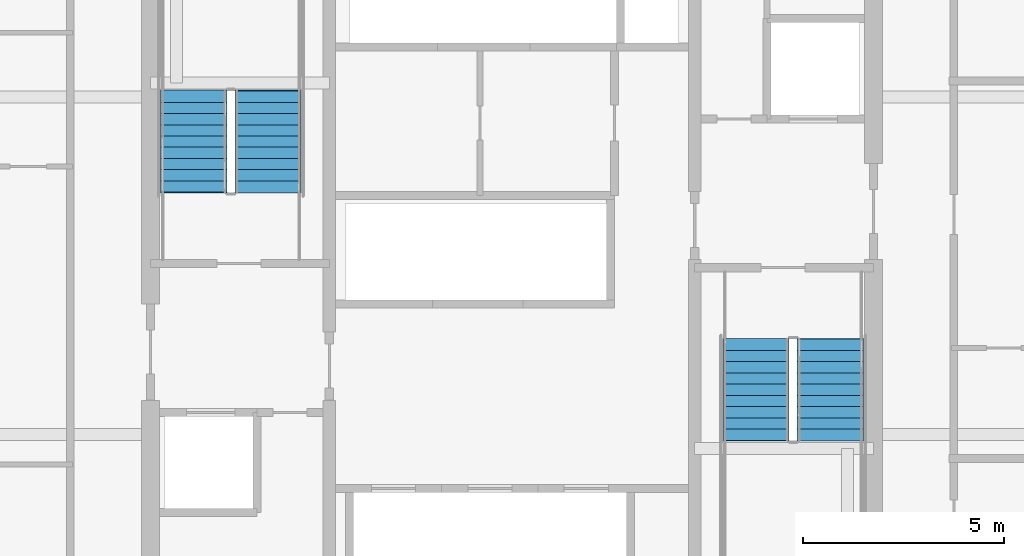
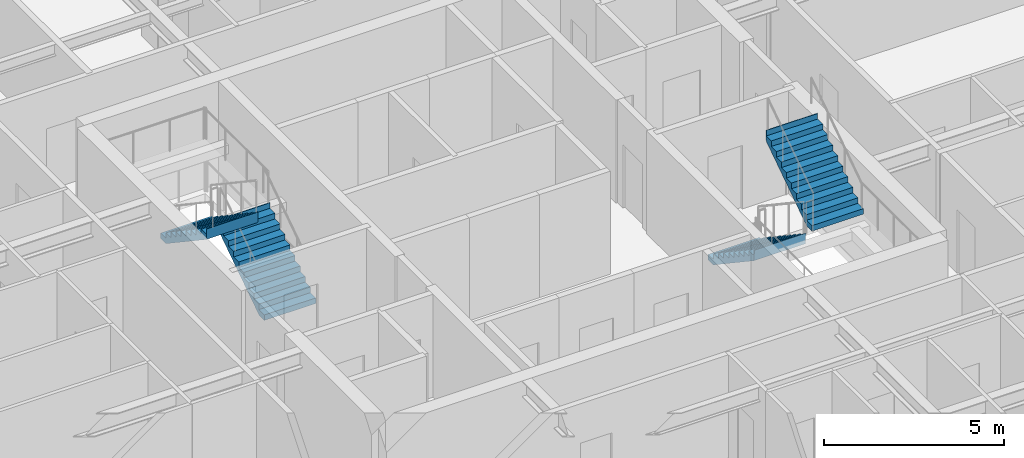
# One storey, part 33 of 40: 4 stair flights, 2 elements without a shape of their own.
"""IFC4 building model written with IfcOpenShell, lengths in metres."""

from ifc_helpers import new_model, si_unit, direction, frame, origin, place, context, subcontext, project, spatial, polygons, material, type_object, element, aggregate, save


model = new_model("IFC4")

# Units and contexts
model_context = context("Model", 3, precision=1e-05, world=origin(), true_north=direction((0.0, 1.0)))
body_context = subcontext(model_context, "Body", "Model", "MODEL_VIEW")
ifc_project = project(units=[si_unit("LENGTHUNIT", "METRE"), si_unit("AREAUNIT", "SQUARE_METRE"), si_unit("VOLUMEUNIT", "CUBIC_METRE"), si_unit("PLANEANGLEUNIT", "RADIAN"), si_unit("MASSUNIT", "GRAM", prefix="KILO")], contexts=[model_context])

# Site, building, storey
site_placement = place(None, origin())
site = spatial("IfcSite", under=ifc_project, at=site_placement, CompositionType="ELEMENT")
building_placement = place(site_placement, origin())
building = spatial("IfcBuilding", under=site, at=building_placement, Name="Serunith Strait Residences", CompositionType="ELEMENT")
storey_placement = place(building_placement, frame((0.0, 0.0, 90.449951171875)))
storey = spatial("IfcBuildingStorey", under=building, at=storey_placement, Name="L22", CompositionType="ELEMENT", Elevation=90.449951171875)

# Stair, stair flights
ifc_material = material(Name="Concrete C50/60", Category="concrete")
stair_type_1 = type_object("IfcStairType", Name="STR-CORE-1", PredefinedType="HALF_TURN_STAIR", material=ifc_material)
stair_1_placement = place(storey_placement, origin())
stair_1 = element("IfcStair", 1, at=stair_1_placement, inside=storey, type_object=stair_type_1, Name="L22 Protected Escape Stair ST-1", PredefinedType="HALF_TURN_STAIR")
stair_flight_type_1 = type_object("IfcStairFlightType", Name="FLT-CORE-1", PredefinedType="STRAIGHT", material=ifc_material)
stair_flight_1_placement = place(storey_placement, frame((26.324951171875, 27.030029296875, 0.0), z_axis=(0.0, 0.0, 1.0), x_axis=(0.0, 1.0, 0.0)))
stair_flight_1 = element("IfcStairFlight", 2, at=stair_flight_1_placement, type_object=stair_flight_type_1, Name="ST-1 flight 1", NumberOfRisers=10, NumberOfTreads=9, PredefinedType="STRAIGHT", RiserHeight=0.1875, TreadLength=0.28, context=body_context, shape_type="Tessellation", body=[
    polygons([(-0.02001953125, -0.824951171875, 0.0), (-0.02001953125, -0.824951171875, 0.1875), (0.280029296875, -0.824951171875, 0.1875), (0.280029296875, -0.824951171875, 0.375), (0.56005859375, -0.824951171875, 0.375), (0.56005859375, -0.824951171875, 0.5625), (0.840087890625, -0.824951171875, 0.5625), (0.840087890625, -0.824951171875, 0.75), (1.1201171875, -0.824951171875, 0.75), (1.1201171875, -0.824951171875, 0.9375), (1.39990234375, -0.824951171875, 0.9375), (1.39990234375, -0.824951171875, 1.125), (1.679931640625, -0.824951171875, 1.125), (1.679931640625, -0.824951171875, 1.3125), (1.9599609375, -0.824951171875, 1.3125), (1.9599609375, -0.824951171875, 1.5), (2.239990234375, -0.824951171875, 1.5), (2.239990234375, -0.824951171875, 1.6875), (2.52001953125, -0.824951171875, 1.6875), (2.52001953125, -0.824951171875, 1.875), (2.5400390625, -0.824951171875, 1.875), (2.5400390625, -0.824951171875, 1.81494140625), (2.52001953125, -0.824951171875, 1.507080078125), (0.26953125, -0.824951171875, 0.0), (-0.02001953125, -0.41259765625, 0.0), (-0.02001953125, -0.41259765625, 0.1875), (0.280029296875, -0.41259765625, 0.1875), (0.280029296875, -0.41259765625, 0.375), (0.56005859375, -0.41259765625, 0.375), (0.56005859375, -0.41259765625, 0.5625), (0.840087890625, -0.41259765625, 0.5625), (0.840087890625, -0.41259765625, 0.75), (1.1201171875, -0.41259765625, 0.75), (1.1201171875, -0.41259765625, 0.9375), (1.39990234375, -0.41259765625, 0.9375), (1.39990234375, -0.41259765625, 1.125), (1.679931640625, -0.41259765625, 1.125), (1.679931640625, -0.41259765625, 1.3125), (1.9599609375, -0.41259765625, 1.3125), (1.9599609375, -0.41259765625, 1.5), (2.239990234375, -0.41259765625, 1.5), (2.239990234375, -0.41259765625, 1.6875), (2.52001953125, -0.41259765625, 1.6875), (2.52001953125, -0.41259765625, 1.875), (2.5400390625, -0.41259765625, 1.875), (2.5400390625, -0.41259765625, 1.81494140625), (2.52001953125, -0.41259765625, 1.507080078125), (0.26953125, -0.41259765625, 0.0), (-0.02001953125, 0.0, 0.0), (-0.02001953125, 0.0, 0.1875), (0.280029296875, 0.0, 0.1875), (0.280029296875, 0.0, 0.375), (0.56005859375, 0.0, 0.375), (0.56005859375, 0.0, 0.5625), (0.840087890625, 0.0, 0.5625), (0.840087890625, 0.0, 0.75), (1.1201171875, 0.0, 0.75), (1.1201171875, 0.0, 0.9375), (1.39990234375, 0.0, 0.9375), (1.39990234375, 0.0, 1.125), (1.679931640625, 0.0, 1.125), (1.679931640625, 0.0, 1.3125), (1.9599609375, 0.0, 1.3125), (1.9599609375, 0.0, 1.5), (2.239990234375, 0.0, 1.5), (2.239990234375, 0.0, 1.6875), (2.52001953125, 0.0, 1.6875), (2.52001953125, 0.0, 1.875), (2.5400390625, 0.0, 1.875), (2.5400390625, 0.0, 1.81494140625), (2.52001953125, 0.0, 1.507080078125), (0.26953125, 0.0, 0.0), (-0.02001953125, 0.41259765625, 0.0), (-0.02001953125, 0.41259765625, 0.1875), (0.280029296875, 0.41259765625, 0.1875), (0.280029296875, 0.41259765625, 0.375), (0.56005859375, 0.41259765625, 0.375), (0.56005859375, 0.41259765625, 0.5625), (0.840087890625, 0.41259765625, 0.5625), (0.840087890625, 0.41259765625, 0.75), (1.1201171875, 0.41259765625, 0.75), (1.1201171875, 0.41259765625, 0.9375), (1.39990234375, 0.41259765625, 0.9375), (1.39990234375, 0.41259765625, 1.125), (1.679931640625, 0.41259765625, 1.125), (1.679931640625, 0.41259765625, 1.3125), (1.9599609375, 0.41259765625, 1.3125), (1.9599609375, 0.41259765625, 1.5), (2.239990234375, 0.41259765625, 1.5), (2.239990234375, 0.41259765625, 1.6875), (2.52001953125, 0.41259765625, 1.6875), (2.52001953125, 0.41259765625, 1.875), (2.5400390625, 0.41259765625, 1.875), (2.5400390625, 0.41259765625, 1.81494140625), (2.52001953125, 0.41259765625, 1.507080078125), (0.26953125, 0.41259765625, 0.0), (-0.02001953125, 0.824951171875, 0.0), (-0.02001953125, 0.824951171875, 0.1875), (0.280029296875, 0.824951171875, 0.1875), (0.280029296875, 0.824951171875, 0.375), (0.56005859375, 0.824951171875, 0.375), (0.56005859375, 0.824951171875, 0.5625), (0.840087890625, 0.824951171875, 0.5625), (0.840087890625, 0.824951171875, 0.75), (1.1201171875, 0.824951171875, 0.75), (1.1201171875, 0.824951171875, 0.9375), (1.39990234375, 0.824951171875, 0.9375), (1.39990234375, 0.824951171875, 1.125), (1.679931640625, 0.824951171875, 1.125), (1.679931640625, 0.824951171875, 1.3125), (1.9599609375, 0.824951171875, 1.3125), (1.9599609375, 0.824951171875, 1.5), (2.239990234375, 0.824951171875, 1.5), (2.239990234375, 0.824951171875, 1.6875), (2.52001953125, 0.824951171875, 1.6875), (2.52001953125, 0.824951171875, 1.875), (2.5400390625, 0.824951171875, 1.875), (2.5400390625, 0.824951171875, 1.81494140625), (2.52001953125, 0.824951171875, 1.507080078125), (0.26953125, 0.824951171875, 0.0)], [[[1, 2, 26, 25]], [[2, 3, 27, 26]], [[3, 4, 28, 27]], [[4, 5, 29, 28]], [[5, 6, 30, 29]], [[6, 7, 31, 30]], [[7, 8, 32, 31]], [[8, 9, 33, 32]], [[9, 10, 34, 33]], [[10, 11, 35, 34]], [[11, 12, 36, 35]], [[12, 13, 37, 36]], [[13, 14, 38, 37]], [[14, 15, 39, 38]], [[15, 16, 40, 39]], [[16, 17, 41, 40]], [[17, 18, 42, 41]], [[18, 19, 43, 42]], [[19, 20, 44, 43]], [[20, 21, 45, 44]], [[21, 22, 46, 45]], [[22, 23, 47, 46]], [[23, 24, 48, 47]], [[24, 1, 25, 48]], [[25, 26, 50, 49]], [[26, 27, 51, 50]], [[27, 28, 52, 51]], [[28, 29, 53, 52]], [[29, 30, 54, 53]], [[30, 31, 55, 54]], [[31, 32, 56, 55]], [[32, 33, 57, 56]], [[33, 34, 58, 57]], [[34, 35, 59, 58]], [[35, 36, 60, 59]], [[36, 37, 61, 60]], [[37, 38, 62, 61]], [[38, 39, 63, 62]], [[39, 40, 64, 63]], [[40, 41, 65, 64]], [[41, 42, 66, 65]], [[42, 43, 67, 66]], [[43, 44, 68, 67]], [[44, 45, 69, 68]], [[45, 46, 70, 69]], [[46, 47, 71, 70]], [[47, 48, 72, 71]], [[48, 25, 49, 72]], [[49, 50, 74, 73]], [[50, 51, 75, 74]], [[51, 52, 76, 75]], [[52, 53, 77, 76]], [[53, 54, 78, 77]], [[54, 55, 79, 78]], [[55, 56, 80, 79]], [[56, 57, 81, 80]], [[57, 58, 82, 81]], [[58, 59, 83, 82]], [[59, 60, 84, 83]], [[60, 61, 85, 84]], [[61, 62, 86, 85]], [[62, 63, 87, 86]], [[63, 64, 88, 87]], [[64, 65, 89, 88]], [[65, 66, 90, 89]], [[66, 67, 91, 90]], [[67, 68, 92, 91]], [[68, 69, 93, 92]], [[69, 70, 94, 93]], [[70, 71, 95, 94]], [[71, 72, 96, 95]], [[72, 49, 73, 96]], [[73, 74, 98, 97]], [[74, 75, 99, 98]], [[75, 76, 100, 99]], [[76, 77, 101, 100]], [[77, 78, 102, 101]], [[78, 79, 103, 102]], [[79, 80, 104, 103]], [[80, 81, 105, 104]], [[81, 82, 106, 105]], [[82, 83, 107, 106]], [[83, 84, 108, 107]], [[84, 85, 109, 108]], [[85, 86, 110, 109]], [[86, 87, 111, 110]], [[87, 88, 112, 111]], [[88, 89, 113, 112]], [[89, 90, 114, 113]], [[90, 91, 115, 114]], [[91, 92, 116, 115]], [[92, 93, 117, 116]], [[93, 94, 118, 117]], [[94, 95, 119, 118]], [[95, 96, 120, 119]], [[96, 73, 97, 120]], [[24, 23, 22, 21, 20, 19, 18, 17, 16, 15, 14, 13, 12, 11, 10, 9, 8, 7, 6, 5, 4, 3, 2, 1]], [[97, 98, 99, 100, 101, 102, 103, 104, 105, 106, 107, 108, 109, 110, 111, 112, 113, 114, 115, 116, 117, 118, 119, 120]]], closed=True),
])
stair_flight_2_placement = place(storey_placement, frame((24.47509765625, 29.550048828125, 1.875), z_axis=(0.0, 0.0, 1.0), x_axis=(0.0, -1.0, 0.0)))
stair_flight_2 = element("IfcStairFlight", 3, at=stair_flight_2_placement, type_object=stair_flight_type_1, Name="ST-1 flight 2", NumberOfRisers=10, NumberOfTreads=9, PredefinedType="STRAIGHT", RiserHeight=0.1875, TreadLength=0.28, context=body_context, shape_type="Tessellation", body=[
    polygons([(-0.02001953125, -0.824951171875, 0.0), (-0.02001953125, -0.824951171875, 0.1875), (0.280029296875, -0.824951171875, 0.1875), (0.280029296875, -0.824951171875, 0.375), (0.56005859375, -0.824951171875, 0.375), (0.56005859375, -0.824951171875, 0.5625), (0.840087890625, -0.824951171875, 0.5625), (0.840087890625, -0.824951171875, 0.75), (1.1201171875, -0.824951171875, 0.75), (1.1201171875, -0.824951171875, 0.9375), (1.39990234375, -0.824951171875, 0.9375), (1.39990234375, -0.824951171875, 1.125), (1.679931640625, -0.824951171875, 1.125), (1.679931640625, -0.824951171875, 1.3125), (1.9599609375, -0.824951171875, 1.3125), (1.9599609375, -0.824951171875, 1.5), (2.239990234375, -0.824951171875, 1.5), (2.239990234375, -0.824951171875, 1.6875), (2.52001953125, -0.824951171875, 1.6875), (2.52001953125, -0.824951171875, 1.875), (2.5400390625, -0.824951171875, 1.875), (2.5400390625, -0.824951171875, 1.81494140625), (2.52001953125, -0.824951171875, 1.507080078125), (0.26953125, -0.824951171875, 0.0), (-0.02001953125, -0.41259765625, 0.0), (-0.02001953125, -0.41259765625, 0.1875), (0.280029296875, -0.41259765625, 0.1875), (0.280029296875, -0.41259765625, 0.375), (0.56005859375, -0.41259765625, 0.375), (0.56005859375, -0.41259765625, 0.5625), (0.840087890625, -0.41259765625, 0.5625), (0.840087890625, -0.41259765625, 0.75), (1.1201171875, -0.41259765625, 0.75), (1.1201171875, -0.41259765625, 0.9375), (1.39990234375, -0.41259765625, 0.9375), (1.39990234375, -0.41259765625, 1.125), (1.679931640625, -0.41259765625, 1.125), (1.679931640625, -0.41259765625, 1.3125), (1.9599609375, -0.41259765625, 1.3125), (1.9599609375, -0.41259765625, 1.5), (2.239990234375, -0.41259765625, 1.5), (2.239990234375, -0.41259765625, 1.6875), (2.52001953125, -0.41259765625, 1.6875), (2.52001953125, -0.41259765625, 1.875), (2.5400390625, -0.41259765625, 1.875), (2.5400390625, -0.41259765625, 1.81494140625), (2.52001953125, -0.41259765625, 1.507080078125), (0.26953125, -0.41259765625, 0.0), (-0.02001953125, 0.0, 0.0), (-0.02001953125, 0.0, 0.1875), (0.280029296875, 0.0, 0.1875), (0.280029296875, 0.0, 0.375), (0.56005859375, 0.0, 0.375), (0.56005859375, 0.0, 0.5625), (0.840087890625, 0.0, 0.5625), (0.840087890625, 0.0, 0.75), (1.1201171875, 0.0, 0.75), (1.1201171875, 0.0, 0.9375), (1.39990234375, 0.0, 0.9375), (1.39990234375, 0.0, 1.125), (1.679931640625, 0.0, 1.125), (1.679931640625, 0.0, 1.3125), (1.9599609375, 0.0, 1.3125), (1.9599609375, 0.0, 1.5), (2.239990234375, 0.0, 1.5), (2.239990234375, 0.0, 1.6875), (2.52001953125, 0.0, 1.6875), (2.52001953125, 0.0, 1.875), (2.5400390625, 0.0, 1.875), (2.5400390625, 0.0, 1.81494140625), (2.52001953125, 0.0, 1.507080078125), (0.26953125, 0.0, 0.0), (-0.02001953125, 0.41259765625, 0.0), (-0.02001953125, 0.41259765625, 0.1875), (0.280029296875, 0.41259765625, 0.1875), (0.280029296875, 0.41259765625, 0.375), (0.56005859375, 0.41259765625, 0.375), (0.56005859375, 0.41259765625, 0.5625), (0.840087890625, 0.41259765625, 0.5625), (0.840087890625, 0.41259765625, 0.75), (1.1201171875, 0.41259765625, 0.75), (1.1201171875, 0.41259765625, 0.9375), (1.39990234375, 0.41259765625, 0.9375), (1.39990234375, 0.41259765625, 1.125), (1.679931640625, 0.41259765625, 1.125), (1.679931640625, 0.41259765625, 1.3125), (1.9599609375, 0.41259765625, 1.3125), (1.9599609375, 0.41259765625, 1.5), (2.239990234375, 0.41259765625, 1.5), (2.239990234375, 0.41259765625, 1.6875), (2.52001953125, 0.41259765625, 1.6875), (2.52001953125, 0.41259765625, 1.875), (2.5400390625, 0.41259765625, 1.875), (2.5400390625, 0.41259765625, 1.81494140625), (2.52001953125, 0.41259765625, 1.507080078125), (0.26953125, 0.41259765625, 0.0), (-0.02001953125, 0.824951171875, 0.0), (-0.02001953125, 0.824951171875, 0.1875), (0.280029296875, 0.824951171875, 0.1875), (0.280029296875, 0.824951171875, 0.375), (0.56005859375, 0.824951171875, 0.375), (0.56005859375, 0.824951171875, 0.5625), (0.840087890625, 0.824951171875, 0.5625), (0.840087890625, 0.824951171875, 0.75), (1.1201171875, 0.824951171875, 0.75), (1.1201171875, 0.824951171875, 0.9375), (1.39990234375, 0.824951171875, 0.9375), (1.39990234375, 0.824951171875, 1.125), (1.679931640625, 0.824951171875, 1.125), (1.679931640625, 0.824951171875, 1.3125), (1.9599609375, 0.824951171875, 1.3125), (1.9599609375, 0.824951171875, 1.5), (2.239990234375, 0.824951171875, 1.5), (2.239990234375, 0.824951171875, 1.6875), (2.52001953125, 0.824951171875, 1.6875), (2.52001953125, 0.824951171875, 1.875), (2.5400390625, 0.824951171875, 1.875), (2.5400390625, 0.824951171875, 1.81494140625), (2.52001953125, 0.824951171875, 1.507080078125), (0.26953125, 0.824951171875, 0.0)], [[[1, 2, 26, 25]], [[2, 3, 27, 26]], [[3, 4, 28, 27]], [[4, 5, 29, 28]], [[5, 6, 30, 29]], [[6, 7, 31, 30]], [[7, 8, 32, 31]], [[8, 9, 33, 32]], [[9, 10, 34, 33]], [[10, 11, 35, 34]], [[11, 12, 36, 35]], [[12, 13, 37, 36]], [[13, 14, 38, 37]], [[14, 15, 39, 38]], [[15, 16, 40, 39]], [[16, 17, 41, 40]], [[17, 18, 42, 41]], [[18, 19, 43, 42]], [[19, 20, 44, 43]], [[20, 21, 45, 44]], [[21, 22, 46, 45]], [[22, 23, 47, 46]], [[23, 24, 48, 47]], [[24, 1, 25, 48]], [[25, 26, 50, 49]], [[26, 27, 51, 50]], [[27, 28, 52, 51]], [[28, 29, 53, 52]], [[29, 30, 54, 53]], [[30, 31, 55, 54]], [[31, 32, 56, 55]], [[32, 33, 57, 56]], [[33, 34, 58, 57]], [[34, 35, 59, 58]], [[35, 36, 60, 59]], [[36, 37, 61, 60]], [[37, 38, 62, 61]], [[38, 39, 63, 62]], [[39, 40, 64, 63]], [[40, 41, 65, 64]], [[41, 42, 66, 65]], [[42, 43, 67, 66]], [[43, 44, 68, 67]], [[44, 45, 69, 68]], [[45, 46, 70, 69]], [[46, 47, 71, 70]], [[47, 48, 72, 71]], [[48, 25, 49, 72]], [[49, 50, 74, 73]], [[50, 51, 75, 74]], [[51, 52, 76, 75]], [[52, 53, 77, 76]], [[53, 54, 78, 77]], [[54, 55, 79, 78]], [[55, 56, 80, 79]], [[56, 57, 81, 80]], [[57, 58, 82, 81]], [[58, 59, 83, 82]], [[59, 60, 84, 83]], [[60, 61, 85, 84]], [[61, 62, 86, 85]], [[62, 63, 87, 86]], [[63, 64, 88, 87]], [[64, 65, 89, 88]], [[65, 66, 90, 89]], [[66, 67, 91, 90]], [[67, 68, 92, 91]], [[68, 69, 93, 92]], [[69, 70, 94, 93]], [[70, 71, 95, 94]], [[71, 72, 96, 95]], [[72, 49, 73, 96]], [[73, 74, 98, 97]], [[74, 75, 99, 98]], [[75, 76, 100, 99]], [[76, 77, 101, 100]], [[77, 78, 102, 101]], [[78, 79, 103, 102]], [[79, 80, 104, 103]], [[80, 81, 105, 104]], [[81, 82, 106, 105]], [[82, 83, 107, 106]], [[83, 84, 108, 107]], [[84, 85, 109, 108]], [[85, 86, 110, 109]], [[86, 87, 111, 110]], [[87, 88, 112, 111]], [[88, 89, 113, 112]], [[89, 90, 114, 113]], [[90, 91, 115, 114]], [[91, 92, 116, 115]], [[92, 93, 117, 116]], [[93, 94, 118, 117]], [[94, 95, 119, 118]], [[95, 96, 120, 119]], [[96, 73, 97, 120]], [[24, 23, 22, 21, 20, 19, 18, 17, 16, 15, 14, 13, 12, 11, 10, 9, 8, 7, 6, 5, 4, 3, 2, 1]], [[97, 98, 99, 100, 101, 102, 103, 104, 105, 106, 107, 108, 109, 110, 111, 112, 113, 114, 115, 116, 117, 118, 119, 120]]], closed=True),
])
aggregate(stair_1, [stair_flight_1, stair_flight_2])

stair_type_2 = type_object("IfcStairType", Name="STR-CORE-2", PredefinedType="HALF_TURN_STAIR", material=ifc_material)
stair_2_placement = place(storey_placement, origin())
stair_2 = element("IfcStair", 4, at=stair_2_placement, inside=storey, type_object=stair_type_2, Name="L22 Protected Escape Stair ST-2", PredefinedType="HALF_TURN_STAIR")
stair_flight_type_2 = type_object("IfcStairFlightType", Name="FLT-CORE-2", PredefinedType="STRAIGHT", material=ifc_material)
stair_flight_3_placement = place(storey_placement, frame((38.47509765625, 23.3701171875, 0.0), z_axis=(0.0, 0.0, 1.0), x_axis=(0.0, -1.0, 0.0)))
stair_flight_3 = element("IfcStairFlight", 5, at=stair_flight_3_placement, type_object=stair_flight_type_2, Name="ST-2 flight 1", NumberOfRisers=10, NumberOfTreads=9, PredefinedType="STRAIGHT", RiserHeight=0.1875, TreadLength=0.28, context=body_context, shape_type="Tessellation", body=[
    polygons([(-0.02001953125, -0.824951171875, 0.0), (-0.02001953125, -0.824951171875, 0.1875), (0.280029296875, -0.824951171875, 0.1875), (0.280029296875, -0.824951171875, 0.375), (0.56005859375, -0.824951171875, 0.375), (0.56005859375, -0.824951171875, 0.5625), (0.840087890625, -0.824951171875, 0.5625), (0.840087890625, -0.824951171875, 0.75), (1.1201171875, -0.824951171875, 0.75), (1.1201171875, -0.824951171875, 0.9375), (1.39990234375, -0.824951171875, 0.9375), (1.39990234375, -0.824951171875, 1.125), (1.679931640625, -0.824951171875, 1.125), (1.679931640625, -0.824951171875, 1.3125), (1.9599609375, -0.824951171875, 1.3125), (1.9599609375, -0.824951171875, 1.5), (2.239990234375, -0.824951171875, 1.5), (2.239990234375, -0.824951171875, 1.6875), (2.52001953125, -0.824951171875, 1.6875), (2.52001953125, -0.824951171875, 1.875), (2.5400390625, -0.824951171875, 1.875), (2.5400390625, -0.824951171875, 1.81494140625), (2.52001953125, -0.824951171875, 1.507080078125), (0.26953125, -0.824951171875, 0.0), (-0.02001953125, -0.41259765625, 0.0), (-0.02001953125, -0.41259765625, 0.1875), (0.280029296875, -0.41259765625, 0.1875), (0.280029296875, -0.41259765625, 0.375), (0.56005859375, -0.41259765625, 0.375), (0.56005859375, -0.41259765625, 0.5625), (0.840087890625, -0.41259765625, 0.5625), (0.840087890625, -0.41259765625, 0.75), (1.1201171875, -0.41259765625, 0.75), (1.1201171875, -0.41259765625, 0.9375), (1.39990234375, -0.41259765625, 0.9375), (1.39990234375, -0.41259765625, 1.125), (1.679931640625, -0.41259765625, 1.125), (1.679931640625, -0.41259765625, 1.3125), (1.9599609375, -0.41259765625, 1.3125), (1.9599609375, -0.41259765625, 1.5), (2.239990234375, -0.41259765625, 1.5), (2.239990234375, -0.41259765625, 1.6875), (2.52001953125, -0.41259765625, 1.6875), (2.52001953125, -0.41259765625, 1.875), (2.5400390625, -0.41259765625, 1.875), (2.5400390625, -0.41259765625, 1.81494140625), (2.52001953125, -0.41259765625, 1.507080078125), (0.26953125, -0.41259765625, 0.0), (-0.02001953125, 0.0, 0.0), (-0.02001953125, 0.0, 0.1875), (0.280029296875, 0.0, 0.1875), (0.280029296875, 0.0, 0.375), (0.56005859375, 0.0, 0.375), (0.56005859375, 0.0, 0.5625), (0.840087890625, 0.0, 0.5625), (0.840087890625, 0.0, 0.75), (1.1201171875, 0.0, 0.75), (1.1201171875, 0.0, 0.9375), (1.39990234375, 0.0, 0.9375), (1.39990234375, 0.0, 1.125), (1.679931640625, 0.0, 1.125), (1.679931640625, 0.0, 1.3125), (1.9599609375, 0.0, 1.3125), (1.9599609375, 0.0, 1.5), (2.239990234375, 0.0, 1.5), (2.239990234375, 0.0, 1.6875), (2.52001953125, 0.0, 1.6875), (2.52001953125, 0.0, 1.875), (2.5400390625, 0.0, 1.875), (2.5400390625, 0.0, 1.81494140625), (2.52001953125, 0.0, 1.507080078125), (0.26953125, 0.0, 0.0), (-0.02001953125, 0.41259765625, 0.0), (-0.02001953125, 0.41259765625, 0.1875), (0.280029296875, 0.41259765625, 0.1875), (0.280029296875, 0.41259765625, 0.375), (0.56005859375, 0.41259765625, 0.375), (0.56005859375, 0.41259765625, 0.5625), (0.840087890625, 0.41259765625, 0.5625), (0.840087890625, 0.41259765625, 0.75), (1.1201171875, 0.41259765625, 0.75), (1.1201171875, 0.41259765625, 0.9375), (1.39990234375, 0.41259765625, 0.9375), (1.39990234375, 0.41259765625, 1.125), (1.679931640625, 0.41259765625, 1.125), (1.679931640625, 0.41259765625, 1.3125), (1.9599609375, 0.41259765625, 1.3125), (1.9599609375, 0.41259765625, 1.5), (2.239990234375, 0.41259765625, 1.5), (2.239990234375, 0.41259765625, 1.6875), (2.52001953125, 0.41259765625, 1.6875), (2.52001953125, 0.41259765625, 1.875), (2.5400390625, 0.41259765625, 1.875), (2.5400390625, 0.41259765625, 1.81494140625), (2.52001953125, 0.41259765625, 1.507080078125), (0.26953125, 0.41259765625, 0.0), (-0.02001953125, 0.824951171875, 0.0), (-0.02001953125, 0.824951171875, 0.1875), (0.280029296875, 0.824951171875, 0.1875), (0.280029296875, 0.824951171875, 0.375), (0.56005859375, 0.824951171875, 0.375), (0.56005859375, 0.824951171875, 0.5625), (0.840087890625, 0.824951171875, 0.5625), (0.840087890625, 0.824951171875, 0.75), (1.1201171875, 0.824951171875, 0.75), (1.1201171875, 0.824951171875, 0.9375), (1.39990234375, 0.824951171875, 0.9375), (1.39990234375, 0.824951171875, 1.125), (1.679931640625, 0.824951171875, 1.125), (1.679931640625, 0.824951171875, 1.3125), (1.9599609375, 0.824951171875, 1.3125), (1.9599609375, 0.824951171875, 1.5), (2.239990234375, 0.824951171875, 1.5), (2.239990234375, 0.824951171875, 1.6875), (2.52001953125, 0.824951171875, 1.6875), (2.52001953125, 0.824951171875, 1.875), (2.5400390625, 0.824951171875, 1.875), (2.5400390625, 0.824951171875, 1.81494140625), (2.52001953125, 0.824951171875, 1.507080078125), (0.26953125, 0.824951171875, 0.0)], [[[1, 2, 26, 25]], [[2, 3, 27, 26]], [[3, 4, 28, 27]], [[4, 5, 29, 28]], [[5, 6, 30, 29]], [[6, 7, 31, 30]], [[7, 8, 32, 31]], [[8, 9, 33, 32]], [[9, 10, 34, 33]], [[10, 11, 35, 34]], [[11, 12, 36, 35]], [[12, 13, 37, 36]], [[13, 14, 38, 37]], [[14, 15, 39, 38]], [[15, 16, 40, 39]], [[16, 17, 41, 40]], [[17, 18, 42, 41]], [[18, 19, 43, 42]], [[19, 20, 44, 43]], [[20, 21, 45, 44]], [[21, 22, 46, 45]], [[22, 23, 47, 46]], [[23, 24, 48, 47]], [[24, 1, 25, 48]], [[25, 26, 50, 49]], [[26, 27, 51, 50]], [[27, 28, 52, 51]], [[28, 29, 53, 52]], [[29, 30, 54, 53]], [[30, 31, 55, 54]], [[31, 32, 56, 55]], [[32, 33, 57, 56]], [[33, 34, 58, 57]], [[34, 35, 59, 58]], [[35, 36, 60, 59]], [[36, 37, 61, 60]], [[37, 38, 62, 61]], [[38, 39, 63, 62]], [[39, 40, 64, 63]], [[40, 41, 65, 64]], [[41, 42, 66, 65]], [[42, 43, 67, 66]], [[43, 44, 68, 67]], [[44, 45, 69, 68]], [[45, 46, 70, 69]], [[46, 47, 71, 70]], [[47, 48, 72, 71]], [[48, 25, 49, 72]], [[49, 50, 74, 73]], [[50, 51, 75, 74]], [[51, 52, 76, 75]], [[52, 53, 77, 76]], [[53, 54, 78, 77]], [[54, 55, 79, 78]], [[55, 56, 80, 79]], [[56, 57, 81, 80]], [[57, 58, 82, 81]], [[58, 59, 83, 82]], [[59, 60, 84, 83]], [[60, 61, 85, 84]], [[61, 62, 86, 85]], [[62, 63, 87, 86]], [[63, 64, 88, 87]], [[64, 65, 89, 88]], [[65, 66, 90, 89]], [[66, 67, 91, 90]], [[67, 68, 92, 91]], [[68, 69, 93, 92]], [[69, 70, 94, 93]], [[70, 71, 95, 94]], [[71, 72, 96, 95]], [[72, 49, 73, 96]], [[73, 74, 98, 97]], [[74, 75, 99, 98]], [[75, 76, 100, 99]], [[76, 77, 101, 100]], [[77, 78, 102, 101]], [[78, 79, 103, 102]], [[79, 80, 104, 103]], [[80, 81, 105, 104]], [[81, 82, 106, 105]], [[82, 83, 107, 106]], [[83, 84, 108, 107]], [[84, 85, 109, 108]], [[85, 86, 110, 109]], [[86, 87, 111, 110]], [[87, 88, 112, 111]], [[88, 89, 113, 112]], [[89, 90, 114, 113]], [[90, 91, 115, 114]], [[91, 92, 116, 115]], [[92, 93, 117, 116]], [[93, 94, 118, 117]], [[94, 95, 119, 118]], [[95, 96, 120, 119]], [[96, 73, 97, 120]], [[24, 23, 22, 21, 20, 19, 18, 17, 16, 15, 14, 13, 12, 11, 10, 9, 8, 7, 6, 5, 4, 3, 2, 1]], [[97, 98, 99, 100, 101, 102, 103, 104, 105, 106, 107, 108, 109, 110, 111, 112, 113, 114, 115, 116, 117, 118, 119, 120]]], closed=True),
])
stair_flight_4_placement = place(storey_placement, frame((40.324951171875, 20.85009765625, 1.875), z_axis=(0.0, 0.0, 1.0), x_axis=(0.0, 1.0, 0.0)))
stair_flight_4 = element("IfcStairFlight", 6, at=stair_flight_4_placement, type_object=stair_flight_type_2, Name="ST-2 flight 2", NumberOfRisers=10, NumberOfTreads=9, PredefinedType="STRAIGHT", RiserHeight=0.1875, TreadLength=0.28, context=body_context, shape_type="Tessellation", body=[
    polygons([(-0.02001953125, -0.824951171875, 0.0), (-0.02001953125, -0.824951171875, 0.1875), (0.280029296875, -0.824951171875, 0.1875), (0.280029296875, -0.824951171875, 0.375), (0.56005859375, -0.824951171875, 0.375), (0.56005859375, -0.824951171875, 0.5625), (0.840087890625, -0.824951171875, 0.5625), (0.840087890625, -0.824951171875, 0.75), (1.1201171875, -0.824951171875, 0.75), (1.1201171875, -0.824951171875, 0.9375), (1.39990234375, -0.824951171875, 0.9375), (1.39990234375, -0.824951171875, 1.125), (1.679931640625, -0.824951171875, 1.125), (1.679931640625, -0.824951171875, 1.3125), (1.9599609375, -0.824951171875, 1.3125), (1.9599609375, -0.824951171875, 1.5), (2.239990234375, -0.824951171875, 1.5), (2.239990234375, -0.824951171875, 1.6875), (2.52001953125, -0.824951171875, 1.6875), (2.52001953125, -0.824951171875, 1.875), (2.5400390625, -0.824951171875, 1.875), (2.5400390625, -0.824951171875, 1.81494140625), (2.52001953125, -0.824951171875, 1.507080078125), (0.26953125, -0.824951171875, 0.0), (-0.02001953125, -0.41259765625, 0.0), (-0.02001953125, -0.41259765625, 0.1875), (0.280029296875, -0.41259765625, 0.1875), (0.280029296875, -0.41259765625, 0.375), (0.56005859375, -0.41259765625, 0.375), (0.56005859375, -0.41259765625, 0.5625), (0.840087890625, -0.41259765625, 0.5625), (0.840087890625, -0.41259765625, 0.75), (1.1201171875, -0.41259765625, 0.75), (1.1201171875, -0.41259765625, 0.9375), (1.39990234375, -0.41259765625, 0.9375), (1.39990234375, -0.41259765625, 1.125), (1.679931640625, -0.41259765625, 1.125), (1.679931640625, -0.41259765625, 1.3125), (1.9599609375, -0.41259765625, 1.3125), (1.9599609375, -0.41259765625, 1.5), (2.239990234375, -0.41259765625, 1.5), (2.239990234375, -0.41259765625, 1.6875), (2.52001953125, -0.41259765625, 1.6875), (2.52001953125, -0.41259765625, 1.875), (2.5400390625, -0.41259765625, 1.875), (2.5400390625, -0.41259765625, 1.81494140625), (2.52001953125, -0.41259765625, 1.507080078125), (0.26953125, -0.41259765625, 0.0), (-0.02001953125, 0.0, 0.0), (-0.02001953125, 0.0, 0.1875), (0.280029296875, 0.0, 0.1875), (0.280029296875, 0.0, 0.375), (0.56005859375, 0.0, 0.375), (0.56005859375, 0.0, 0.5625), (0.840087890625, 0.0, 0.5625), (0.840087890625, 0.0, 0.75), (1.1201171875, 0.0, 0.75), (1.1201171875, 0.0, 0.9375), (1.39990234375, 0.0, 0.9375), (1.39990234375, 0.0, 1.125), (1.679931640625, 0.0, 1.125), (1.679931640625, 0.0, 1.3125), (1.9599609375, 0.0, 1.3125), (1.9599609375, 0.0, 1.5), (2.239990234375, 0.0, 1.5), (2.239990234375, 0.0, 1.6875), (2.52001953125, 0.0, 1.6875), (2.52001953125, 0.0, 1.875), (2.5400390625, 0.0, 1.875), (2.5400390625, 0.0, 1.81494140625), (2.52001953125, 0.0, 1.507080078125), (0.26953125, 0.0, 0.0), (-0.02001953125, 0.41259765625, 0.0), (-0.02001953125, 0.41259765625, 0.1875), (0.280029296875, 0.41259765625, 0.1875), (0.280029296875, 0.41259765625, 0.375), (0.56005859375, 0.41259765625, 0.375), (0.56005859375, 0.41259765625, 0.5625), (0.840087890625, 0.41259765625, 0.5625), (0.840087890625, 0.41259765625, 0.75), (1.1201171875, 0.41259765625, 0.75), (1.1201171875, 0.41259765625, 0.9375), (1.39990234375, 0.41259765625, 0.9375), (1.39990234375, 0.41259765625, 1.125), (1.679931640625, 0.41259765625, 1.125), (1.679931640625, 0.41259765625, 1.3125), (1.9599609375, 0.41259765625, 1.3125), (1.9599609375, 0.41259765625, 1.5), (2.239990234375, 0.41259765625, 1.5), (2.239990234375, 0.41259765625, 1.6875), (2.52001953125, 0.41259765625, 1.6875), (2.52001953125, 0.41259765625, 1.875), (2.5400390625, 0.41259765625, 1.875), (2.5400390625, 0.41259765625, 1.81494140625), (2.52001953125, 0.41259765625, 1.507080078125), (0.26953125, 0.41259765625, 0.0), (-0.02001953125, 0.824951171875, 0.0), (-0.02001953125, 0.824951171875, 0.1875), (0.280029296875, 0.824951171875, 0.1875), (0.280029296875, 0.824951171875, 0.375), (0.56005859375, 0.824951171875, 0.375), (0.56005859375, 0.824951171875, 0.5625), (0.840087890625, 0.824951171875, 0.5625), (0.840087890625, 0.824951171875, 0.75), (1.1201171875, 0.824951171875, 0.75), (1.1201171875, 0.824951171875, 0.9375), (1.39990234375, 0.824951171875, 0.9375), (1.39990234375, 0.824951171875, 1.125), (1.679931640625, 0.824951171875, 1.125), (1.679931640625, 0.824951171875, 1.3125), (1.9599609375, 0.824951171875, 1.3125), (1.9599609375, 0.824951171875, 1.5), (2.239990234375, 0.824951171875, 1.5), (2.239990234375, 0.824951171875, 1.6875), (2.52001953125, 0.824951171875, 1.6875), (2.52001953125, 0.824951171875, 1.875), (2.5400390625, 0.824951171875, 1.875), (2.5400390625, 0.824951171875, 1.81494140625), (2.52001953125, 0.824951171875, 1.507080078125), (0.26953125, 0.824951171875, 0.0)], [[[1, 2, 26, 25]], [[2, 3, 27, 26]], [[3, 4, 28, 27]], [[4, 5, 29, 28]], [[5, 6, 30, 29]], [[6, 7, 31, 30]], [[7, 8, 32, 31]], [[8, 9, 33, 32]], [[9, 10, 34, 33]], [[10, 11, 35, 34]], [[11, 12, 36, 35]], [[12, 13, 37, 36]], [[13, 14, 38, 37]], [[14, 15, 39, 38]], [[15, 16, 40, 39]], [[16, 17, 41, 40]], [[17, 18, 42, 41]], [[18, 19, 43, 42]], [[19, 20, 44, 43]], [[20, 21, 45, 44]], [[21, 22, 46, 45]], [[22, 23, 47, 46]], [[23, 24, 48, 47]], [[24, 1, 25, 48]], [[25, 26, 50, 49]], [[26, 27, 51, 50]], [[27, 28, 52, 51]], [[28, 29, 53, 52]], [[29, 30, 54, 53]], [[30, 31, 55, 54]], [[31, 32, 56, 55]], [[32, 33, 57, 56]], [[33, 34, 58, 57]], [[34, 35, 59, 58]], [[35, 36, 60, 59]], [[36, 37, 61, 60]], [[37, 38, 62, 61]], [[38, 39, 63, 62]], [[39, 40, 64, 63]], [[40, 41, 65, 64]], [[41, 42, 66, 65]], [[42, 43, 67, 66]], [[43, 44, 68, 67]], [[44, 45, 69, 68]], [[45, 46, 70, 69]], [[46, 47, 71, 70]], [[47, 48, 72, 71]], [[48, 25, 49, 72]], [[49, 50, 74, 73]], [[50, 51, 75, 74]], [[51, 52, 76, 75]], [[52, 53, 77, 76]], [[53, 54, 78, 77]], [[54, 55, 79, 78]], [[55, 56, 80, 79]], [[56, 57, 81, 80]], [[57, 58, 82, 81]], [[58, 59, 83, 82]], [[59, 60, 84, 83]], [[60, 61, 85, 84]], [[61, 62, 86, 85]], [[62, 63, 87, 86]], [[63, 64, 88, 87]], [[64, 65, 89, 88]], [[65, 66, 90, 89]], [[66, 67, 91, 90]], [[67, 68, 92, 91]], [[68, 69, 93, 92]], [[69, 70, 94, 93]], [[70, 71, 95, 94]], [[71, 72, 96, 95]], [[72, 49, 73, 96]], [[73, 74, 98, 97]], [[74, 75, 99, 98]], [[75, 76, 100, 99]], [[76, 77, 101, 100]], [[77, 78, 102, 101]], [[78, 79, 103, 102]], [[79, 80, 104, 103]], [[80, 81, 105, 104]], [[81, 82, 106, 105]], [[82, 83, 107, 106]], [[83, 84, 108, 107]], [[84, 85, 109, 108]], [[85, 86, 110, 109]], [[86, 87, 111, 110]], [[87, 88, 112, 111]], [[88, 89, 113, 112]], [[89, 90, 114, 113]], [[90, 91, 115, 114]], [[91, 92, 116, 115]], [[92, 93, 117, 116]], [[93, 94, 118, 117]], [[94, 95, 119, 118]], [[95, 96, 120, 119]], [[96, 73, 97, 120]], [[24, 23, 22, 21, 20, 19, 18, 17, 16, 15, 14, 13, 12, 11, 10, 9, 8, 7, 6, 5, 4, 3, 2, 1]], [[97, 98, 99, 100, 101, 102, 103, 104, 105, 106, 107, 108, 109, 110, 111, 112, 113, 114, 115, 116, 117, 118, 119, 120]]], closed=True),
])
aggregate(stair_2, [stair_flight_3, stair_flight_4])

save(model, "model.ifc")
